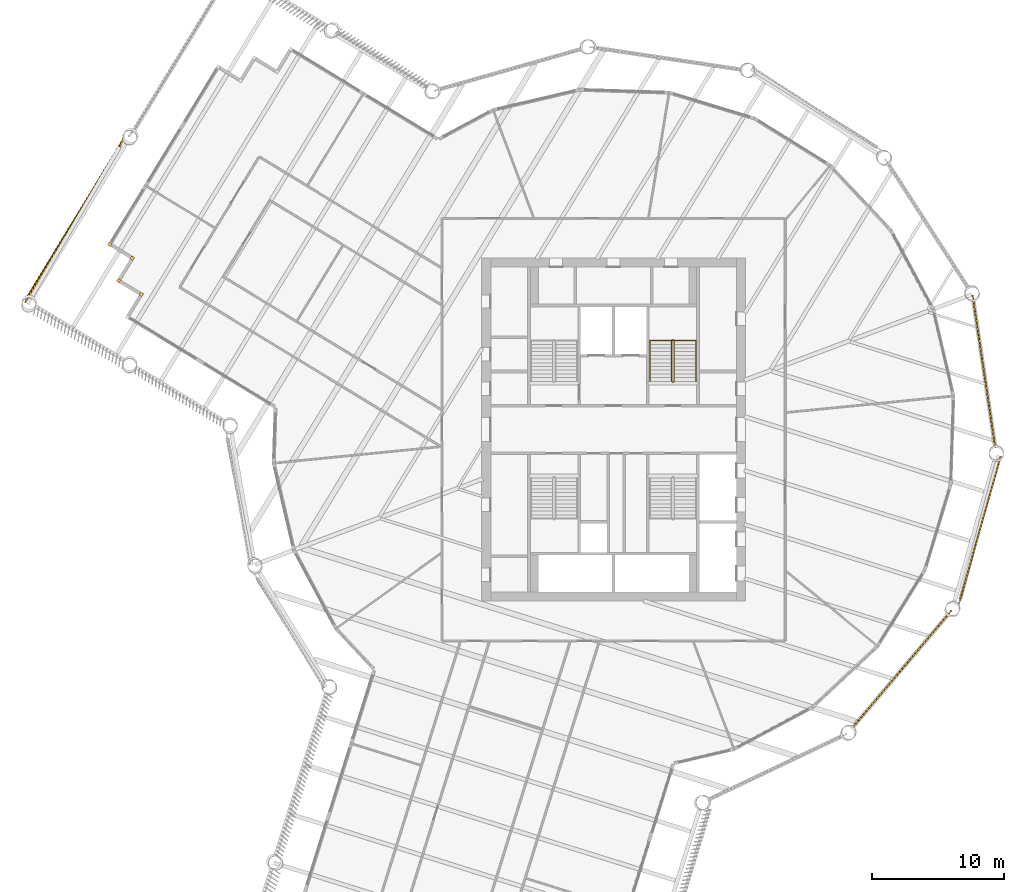
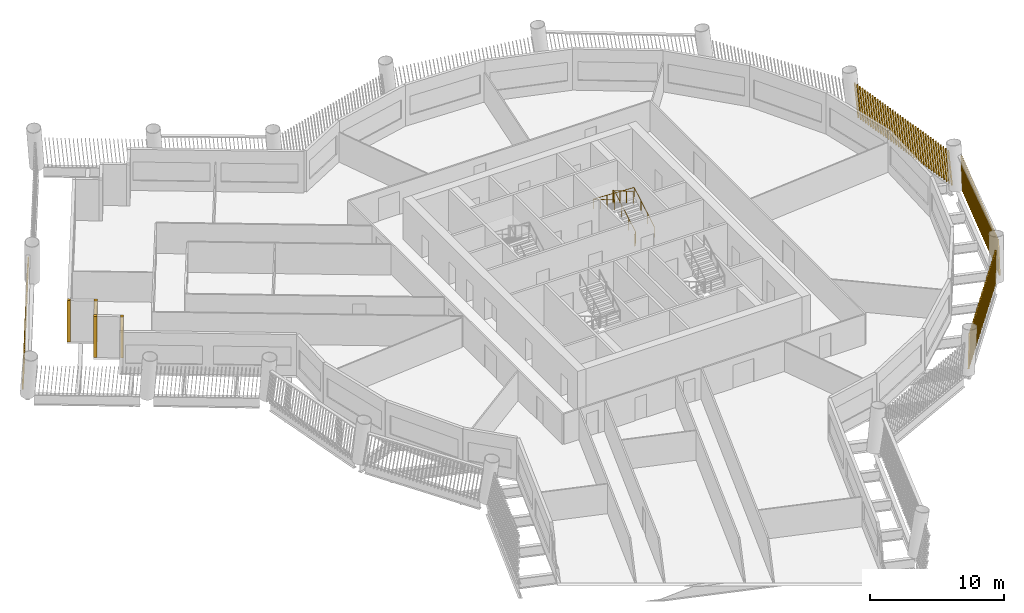
# One storey, part 13 of 15: 8 shading devices, 2 railings.
"""IFC4 building model written with IfcOpenShell, lengths in metres."""

from ifc_helpers import new_model, si_unit, direction, frame, frame_2d, origin, origin_2d, place, context, subcontext, project, spatial, rectangle, circle, composite_profile, extrude, material, type_object, element, save


model = new_model("IFC4")

# Units and contexts
model_context = context("Model", 3, precision=1e-05, world=origin(), true_north=direction((0.0, 1.0)))
body_context = subcontext(model_context, "Body", "Model", "MODEL_VIEW")
ifc_project = project(units=[si_unit("LENGTHUNIT", "METRE"), si_unit("AREAUNIT", "SQUARE_METRE"), si_unit("VOLUMEUNIT", "CUBIC_METRE"), si_unit("PLANEANGLEUNIT", "RADIAN"), si_unit("MASSUNIT", "GRAM", prefix="KILO")], contexts=[model_context])

# Site, building, storey
site_placement = place(None, origin())
site = spatial("IfcSite", under=ifc_project, at=site_placement, CompositionType="ELEMENT")
building_placement = place(site_placement, origin())
building = spatial("IfcBuilding", under=site, at=building_placement, Name="Tarsis Ring Headquarters", CompositionType="ELEMENT")
storey_placement = place(building_placement, frame((0.0, 0.0, 151.5)))
storey = spatial("IfcBuildingStorey", under=building, at=storey_placement, Name="L34", CompositionType="ELEMENT", Elevation=151.5)

# Railings
ifc_material_1 = material(Name="Steel S355", Category="steel")
railing_type_1 = type_object("IfcRailingType", Name="Core stair guard 1100", PredefinedType="GUARDRAIL", material=ifc_material_1)
railing_1_placement = place(storey_placement, frame((4.4599609375, 3.610107421875, 0.0)))
element("IfcRailing", 1, at=railing_1_placement, inside=storey, type_object=railing_type_1, Name="L34 ST2 stair guard 1", PredefinedType="GUARDRAIL", context=body_context, shape_type="SweptSolid", body=[
    extrude(circle(Radius=0.02392578125, at=origin_2d()), frame((0.0, 0.0, 1.076171875), z_axis=(1.0, 0.0, 0.0), x_axis=(0.0, 1.0, 0.0)), (0.0, 0.0, 1.0), 0.080078125),
    extrude(circle(Radius=0.02392578125, at=origin_2d()), frame((0.080078125, 0.0, 1.076171875), z_axis=(0.282336740067, 0.280959487676, 0.917250092119), x_axis=(-0.705375805398, 0.708833529934, 0.0)), (0.0, 0.0, 1.0), 0.17724609375),
    extrude(circle(Radius=0.02392578125, at=origin_2d()), frame((0.130126953125, 0.0498046875, 1.23876953125), z_axis=(0.0, 0.864920483161, 0.501908913857), x_axis=(-1.0, 0.0, 0.0)), (0.0, 0.0, 1.0), 3.56103515625),
    extrude(circle(Radius=0.02392578125, at=origin_2d()), frame((0.130126953125, 3.1298828125, 3.02587890625), z_axis=(-0.707106781187, 0.707106781187, 0.0), x_axis=(-0.707106781187, -0.707106781187, 0.0)), (0.0, 0.0, 1.0), 0.07080078125),
    extrude(circle(Radius=0.02392578125, at=origin_2d()), frame((0.080078125, 3.179931640625, 3.02587890625), z_axis=(-1.0, 0.0, 0.0), x_axis=(0.0, -1.0, 0.0)), (0.0, 0.0, 1.0), 0.080078125),
    extrude(circle(Radius=0.02392578125, at=origin_2d()), frame((0.0, 3.179931640625, 3.02587890625), z_axis=(-0.282227285176, -0.282227285176, 0.916894497205), x_axis=(0.707106781187, -0.707106781187, 0.0)), (0.0, 0.0, 1.0), 0.17724609375),
    extrude(circle(Radius=0.02392578125, at=origin_2d()), frame((-0.050048828125, 3.1298828125, 3.1884765625), z_axis=(0.0, -0.864920483161, 0.501908913857), x_axis=(1.0, 0.0, 0.0)), (0.0, 0.0, 1.0), 3.56103515625),
    extrude(circle(Radius=0.02099609375, at=origin_2d()), origin(), (0.0, 0.0, 1.0), 1.052001953125),
    extrude(circle(Radius=0.02099609375, at=origin_2d()), frame((0.080078125, 0.0, 0.0)), (0.0, 0.0, 1.0), 1.052001953125),
    extrude(circle(Radius=0.02099609375, at=origin_2d()), frame((0.130126953125, 0.0498046875, 0.16259765625)), (0.0, 0.0, 1.0), 1.052001953125),
    extrude(circle(Radius=0.02099609375, at=origin_2d()), frame((0.130126953125, 1.076416015625, 0.75830078125)), (0.0, 0.0, 1.0), 1.052001953125),
    extrude(circle(Radius=0.02099609375, at=origin_2d()), frame((0.130126953125, 2.103271484375, 1.354248046875)), (0.0, 0.0, 1.0), 1.052001953125),
    extrude(circle(Radius=0.02099609375, at=origin_2d()), frame((0.130126953125, 3.1298828125, 1.949951171875)), (0.0, 0.0, 1.0), 1.052001953125),
    extrude(circle(Radius=0.02099609375, at=origin_2d()), frame((0.080078125, 3.179931640625, 1.949951171875)), (0.0, 0.0, 1.0), 1.052001953125),
    extrude(circle(Radius=0.02099609375, at=origin_2d()), frame((0.0, 3.179931640625, 1.949951171875)), (0.0, 0.0, 1.0), 1.052001953125),
    extrude(circle(Radius=0.02099609375, at=origin_2d()), frame((-0.050048828125, 3.1298828125, 2.112548828125)), (0.0, 0.0, 1.0), 1.052001953125),
    extrude(circle(Radius=0.02099609375, at=origin_2d()), frame((-0.050048828125, 2.103271484375, 2.708251953125)), (0.0, 0.0, 1.0), 1.052001953125),
    extrude(circle(Radius=0.02099609375, at=origin_2d()), frame((-0.050048828125, 1.076416015625, 3.30419921875)), (0.0, 0.0, 1.0), 1.052001953125),
    extrude(circle(Radius=0.02099609375, at=origin_2d()), frame((-0.050048828125, 0.0498046875, 3.89990234375)), (0.0, 0.0, 1.0), 1.052001953125),
])
railing_type_2 = type_object("IfcRailingType", Name="Core stair handrail 900", PredefinedType="HANDRAIL", material=ifc_material_1)
railing_2_placement = place(storey_placement, frame((6.25, 3.659912109375, 0.16259765625)))
element("IfcRailing", 2, at=railing_2_placement, inside=storey, type_object=railing_type_2, Name="L34 ST2 stair handrail 1", PredefinedType="HANDRAIL", context=body_context, shape_type="SweptSolid", body=[
    extrude(circle(Radius=0.02392578125, at=origin_2d()), frame((0.0, 0.0, 0.8759765625), z_axis=(0.0, 0.864920483161, 0.501908913857), x_axis=(-1.0, 0.0, 0.0)), (0.0, 0.0, 1.0), 3.56103515625),
    extrude(circle(Radius=0.02392578125, at=origin_2d()), frame((0.0, 3.080078125, 2.6630859375), z_axis=(-0.998922641604, 0.0, 0.046406422943), x_axis=(0.0, -1.0, 0.0)), (0.0, 0.0, 1.0), 3.503662109375),
    extrude(circle(Radius=0.02392578125, at=origin_2d()), frame((-3.5, 3.080078125, 2.82568359375), z_axis=(0.0, -0.864920483161, 0.501908913857), x_axis=(1.0, 0.0, 0.0)), (0.0, 0.0, 1.0), 3.56103515625),
    extrude(circle(Radius=0.02099609375, at=origin_2d()), origin(), (0.0, 0.0, 1.0), 0.851806640625),
    extrude(circle(Radius=0.02099609375, at=origin_2d()), frame((0.0, 1.026611328125, 0.595703125)), (0.0, 0.0, 1.0), 0.851806640625),
    extrude(circle(Radius=0.02099609375, at=origin_2d()), frame((0.0, 2.053466796875, 1.191650390625)), (0.0, 0.0, 1.0), 0.851806640625),
    extrude(circle(Radius=0.02099609375, at=origin_2d()), frame((0.0, 3.080078125, 1.787353515625)), (0.0, 0.0, 1.0), 0.851806640625),
    extrude(circle(Radius=0.02099609375, at=origin_2d()), frame((-1.166748046875, 3.080078125, 1.841552734375)), (0.0, 0.0, 1.0), 0.851806640625),
    extrude(circle(Radius=0.02099609375, at=origin_2d()), frame((-2.333251953125, 3.080078125, 1.895751953125)), (0.0, 0.0, 1.0), 0.851806640625),
    extrude(circle(Radius=0.02099609375, at=origin_2d()), frame((-3.5, 3.080078125, 1.949951171875)), (0.0, 0.0, 1.0), 0.851806640625),
    extrude(circle(Radius=0.02099609375, at=origin_2d()), frame((-3.5, 2.053466796875, 2.545654296875)), (0.0, 0.0, 1.0), 0.851806640625),
    extrude(circle(Radius=0.02099609375, at=origin_2d()), frame((-3.5, 1.026611328125, 3.1416015625)), (0.0, 0.0, 1.0), 0.851806640625),
    extrude(circle(Radius=0.02099609375, at=origin_2d()), frame((-3.5, 0.0, 3.7373046875)), (0.0, 0.0, 1.0), 0.851806640625),
])

# Shading devices
ifc_material_2 = material(Name="Terracotta baguette", Category="masonry")
shading_device_type_1 = type_object("IfcShadingDeviceType", Name="Terracotta baguette screen", PredefinedType="USERDEFINED", material=ifc_material_2)
shading_device_1_placement = place(storey_placement, frame((18.0517578125, -22.629150390625, 0.0), z_axis=(0.0, 0.0, 1.0), x_axis=(0.645664677157, 0.763624525231, 0.0)))
element("IfcShadingDevice", 3, at=shading_device_1_placement, inside=storey, type_object=shading_device_type_1, Name="Baguette screen L34-08", ObjectType="Terracotta baguette screen", PredefinedType="USERDEFINED", context=body_context, shape_type="SweptSolid", body=[
    extrude(composite_profile([rectangle(XDim=0.06005859375, YDim=0.1201171875, at=frame_2d((0.030029296875, 0.0))), rectangle(XDim=0.06005859375, YDim=0.1201171875, at=frame_2d((0.33251953125, 0.0))), rectangle(XDim=0.06005859375, YDim=0.1201171875, at=frame_2d((0.634765625, 0.0))), rectangle(XDim=0.06005859375, YDim=0.1201171875, at=frame_2d((0.937255859375, 0.0))), rectangle(XDim=0.06005859375, YDim=0.1201171875, at=frame_2d((1.239501953125, 0.0))), rectangle(XDim=0.06005859375, YDim=0.1201171875, at=frame_2d((1.5419921875, 0.0))), rectangle(XDim=0.06005859375, YDim=0.1201171875, at=frame_2d((1.844482421875, 0.0))), rectangle(XDim=0.06005859375, YDim=0.1201171875, at=frame_2d((2.146728515625, 0.0))), rectangle(XDim=0.06005859375, YDim=0.1201171875, at=frame_2d((2.44921875, 0.0))), rectangle(XDim=0.06005859375, YDim=0.1201171875, at=frame_2d((2.751708984375, 0.0))), rectangle(XDim=0.06005859375, YDim=0.1201171875, at=frame_2d((3.053955078125, 0.0))), rectangle(XDim=0.06005859375, YDim=0.1201171875, at=frame_2d((3.3564453125, 0.0))), rectangle(XDim=0.06005859375, YDim=0.1201171875, at=frame_2d((3.65869140625, 0.0))), rectangle(XDim=0.06005859375, YDim=0.1201171875, at=frame_2d((3.961181640625, 0.0))), rectangle(XDim=0.06005859375, YDim=0.1201171875, at=frame_2d((4.263671875, 0.0))), rectangle(XDim=0.06005859375, YDim=0.1201171875, at=frame_2d((4.56591796875, 0.0))), rectangle(XDim=0.06005859375, YDim=0.1201171875, at=frame_2d((4.868408203125, 0.0))), rectangle(XDim=0.06005859375, YDim=0.1201171875, at=frame_2d((5.1708984375, 0.0))), rectangle(XDim=0.06005859375, YDim=0.1201171875, at=frame_2d((5.47314453125, 0.0))), rectangle(XDim=0.06005859375, YDim=0.1201171875, at=frame_2d((5.775634765625, 0.0))), rectangle(XDim=0.06005859375, YDim=0.1201171875, at=frame_2d((6.077880859375, 0.0))), rectangle(XDim=0.06005859375, YDim=0.1201171875, at=frame_2d((6.38037109375, 0.0))), rectangle(XDim=0.06005859375, YDim=0.1201171875, at=frame_2d((6.682861328125, 0.0))), rectangle(XDim=0.06005859375, YDim=0.1201171875, at=frame_2d((6.985107421875, 0.0))), rectangle(XDim=0.06005859375, YDim=0.1201171875, at=frame_2d((7.28759765625, 0.0))), rectangle(XDim=0.06005859375, YDim=0.1201171875, at=frame_2d((7.590087890625, 0.0))), rectangle(XDim=0.06005859375, YDim=0.1201171875, at=frame_2d((7.892333984375, 0.0))), rectangle(XDim=0.06005859375, YDim=0.1201171875, at=frame_2d((8.19482421875, 0.0))), rectangle(XDim=0.06005859375, YDim=0.1201171875, at=frame_2d((8.4970703125, 0.0))), rectangle(XDim=0.06005859375, YDim=0.1201171875, at=frame_2d((8.799560546875, 0.0))), rectangle(XDim=0.06005859375, YDim=0.1201171875, at=frame_2d((9.10205078125, 0.0))), rectangle(XDim=0.06005859375, YDim=0.1201171875, at=frame_2d((9.404296875, 0.0))), rectangle(XDim=0.06005859375, YDim=0.1201171875, at=frame_2d((9.706787109375, 0.0))), rectangle(XDim=0.06005859375, YDim=0.1201171875, at=frame_2d((10.00927734375, 0.0))), rectangle(XDim=0.06005859375, YDim=0.1201171875, at=frame_2d((10.3115234375, 0.0))), rectangle(XDim=0.06005859375, YDim=0.1201171875, at=frame_2d((10.614013671875, 0.0))), rectangle(XDim=0.06005859375, YDim=0.1201171875, at=frame_2d((10.916259765625, 0.0))), rectangle(XDim=0.06005859375, YDim=0.1201171875, at=frame_2d((11.21875, 0.0)))]), origin(), (0.149496200482, 0.001172045505, 0.988761605419), 2.9833984375),
])
shading_device_2_placement = place(storey_placement, frame((26.135009765625, -13.279296875, 0.0), z_axis=(0.0, 0.0, 1.0), x_axis=(0.273526347773, 0.961867349596, 0.0)))
element("IfcShadingDevice", 4, at=shading_device_2_placement, inside=storey, type_object=shading_device_type_1, Name="Baguette screen L34-09", ObjectType="Terracotta baguette screen", PredefinedType="USERDEFINED", context=body_context, shape_type="SweptSolid", body=[
    extrude(composite_profile([rectangle(XDim=0.06005859375, YDim=0.1201171875, at=frame_2d((0.030029296875, 0.0))), rectangle(XDim=0.06005859375, YDim=0.1201171875, at=frame_2d((0.33251953125, 0.0))), rectangle(XDim=0.06005859375, YDim=0.1201171875, at=frame_2d((0.634765625, 0.0))), rectangle(XDim=0.06005859375, YDim=0.1201171875, at=frame_2d((0.937255859375, 0.0))), rectangle(XDim=0.06005859375, YDim=0.1201171875, at=frame_2d((1.239501953125, 0.0))), rectangle(XDim=0.06005859375, YDim=0.1201171875, at=frame_2d((1.5419921875, 0.0))), rectangle(XDim=0.06005859375, YDim=0.1201171875, at=frame_2d((1.844482421875, 0.0))), rectangle(XDim=0.06005859375, YDim=0.1201171875, at=frame_2d((2.146728515625, 0.0))), rectangle(XDim=0.06005859375, YDim=0.1201171875, at=frame_2d((2.44921875, 0.0))), rectangle(XDim=0.06005859375, YDim=0.1201171875, at=frame_2d((2.751708984375, 0.0))), rectangle(XDim=0.06005859375, YDim=0.1201171875, at=frame_2d((3.053955078125, 0.0))), rectangle(XDim=0.06005859375, YDim=0.1201171875, at=frame_2d((3.3564453125, 0.0))), rectangle(XDim=0.06005859375, YDim=0.1201171875, at=frame_2d((3.65869140625, 0.0))), rectangle(XDim=0.06005859375, YDim=0.1201171875, at=frame_2d((3.961181640625, 0.0))), rectangle(XDim=0.06005859375, YDim=0.1201171875, at=frame_2d((4.263671875, 0.0))), rectangle(XDim=0.06005859375, YDim=0.1201171875, at=frame_2d((4.56591796875, 0.0))), rectangle(XDim=0.06005859375, YDim=0.1201171875, at=frame_2d((4.868408203125, 0.0))), rectangle(XDim=0.06005859375, YDim=0.1201171875, at=frame_2d((5.1708984375, 0.0))), rectangle(XDim=0.06005859375, YDim=0.1201171875, at=frame_2d((5.47314453125, 0.0))), rectangle(XDim=0.06005859375, YDim=0.1201171875, at=frame_2d((5.775634765625, 0.0))), rectangle(XDim=0.06005859375, YDim=0.1201171875, at=frame_2d((6.077880859375, 0.0))), rectangle(XDim=0.06005859375, YDim=0.1201171875, at=frame_2d((6.38037109375, 0.0))), rectangle(XDim=0.06005859375, YDim=0.1201171875, at=frame_2d((6.682861328125, 0.0))), rectangle(XDim=0.06005859375, YDim=0.1201171875, at=frame_2d((6.985107421875, 0.0))), rectangle(XDim=0.06005859375, YDim=0.1201171875, at=frame_2d((7.28759765625, 0.0))), rectangle(XDim=0.06005859375, YDim=0.1201171875, at=frame_2d((7.590087890625, 0.0))), rectangle(XDim=0.06005859375, YDim=0.1201171875, at=frame_2d((7.892333984375, 0.0))), rectangle(XDim=0.06005859375, YDim=0.1201171875, at=frame_2d((8.19482421875, 0.0))), rectangle(XDim=0.06005859375, YDim=0.1201171875, at=frame_2d((8.4970703125, 0.0))), rectangle(XDim=0.06005859375, YDim=0.1201171875, at=frame_2d((8.799560546875, 0.0))), rectangle(XDim=0.06005859375, YDim=0.1201171875, at=frame_2d((9.10205078125, 0.0))), rectangle(XDim=0.06005859375, YDim=0.1201171875, at=frame_2d((9.404296875, 0.0))), rectangle(XDim=0.06005859375, YDim=0.1201171875, at=frame_2d((9.706787109375, 0.0))), rectangle(XDim=0.06005859375, YDim=0.1201171875, at=frame_2d((10.00927734375, 0.0))), rectangle(XDim=0.06005859375, YDim=0.1201171875, at=frame_2d((10.3115234375, 0.0))), rectangle(XDim=0.06005859375, YDim=0.1201171875, at=frame_2d((10.614013671875, 0.0))), rectangle(XDim=0.06005859375, YDim=0.1201171875, at=frame_2d((10.916259765625, 0.0))), rectangle(XDim=0.06005859375, YDim=0.1201171875, at=frame_2d((11.21875, 0.0)))]), origin(), (0.151425749432, 0.00119058214, 0.988467918004), 2.984375),
])
shading_device_3_placement = place(storey_placement, frame((28.914306640625, -1.38134765625, 0.0), z_axis=(0.0, 0.0, 1.0), x_axis=(-0.147281606077, 0.989104720564, 0.0)))
element("IfcShadingDevice", 5, at=shading_device_3_placement, inside=storey, type_object=shading_device_type_1, Name="Baguette screen L34-10", ObjectType="Terracotta baguette screen", PredefinedType="USERDEFINED", context=body_context, shape_type="SweptSolid", body=[
    extrude(composite_profile([rectangle(XDim=0.06005859375, YDim=0.1201171875, at=frame_2d((0.030029296875, 0.0))), rectangle(XDim=0.06005859375, YDim=0.1201171875, at=frame_2d((0.33251953125, 0.0))), rectangle(XDim=0.06005859375, YDim=0.1201171875, at=frame_2d((0.634765625, 0.0))), rectangle(XDim=0.06005859375, YDim=0.1201171875, at=frame_2d((0.937255859375, 0.0))), rectangle(XDim=0.06005859375, YDim=0.1201171875, at=frame_2d((1.239501953125, 0.0))), rectangle(XDim=0.06005859375, YDim=0.1201171875, at=frame_2d((1.5419921875, 0.0))), rectangle(XDim=0.06005859375, YDim=0.1201171875, at=frame_2d((1.844482421875, 0.0))), rectangle(XDim=0.06005859375, YDim=0.1201171875, at=frame_2d((2.146728515625, 0.0))), rectangle(XDim=0.06005859375, YDim=0.1201171875, at=frame_2d((2.44921875, 0.0))), rectangle(XDim=0.06005859375, YDim=0.1201171875, at=frame_2d((2.751708984375, 0.0))), rectangle(XDim=0.06005859375, YDim=0.1201171875, at=frame_2d((3.053955078125, 0.0))), rectangle(XDim=0.06005859375, YDim=0.1201171875, at=frame_2d((3.3564453125, 0.0))), rectangle(XDim=0.06005859375, YDim=0.1201171875, at=frame_2d((3.65869140625, 0.0))), rectangle(XDim=0.06005859375, YDim=0.1201171875, at=frame_2d((3.961181640625, 0.0))), rectangle(XDim=0.06005859375, YDim=0.1201171875, at=frame_2d((4.263671875, 0.0))), rectangle(XDim=0.06005859375, YDim=0.1201171875, at=frame_2d((4.56591796875, 0.0))), rectangle(XDim=0.06005859375, YDim=0.1201171875, at=frame_2d((4.868408203125, 0.0))), rectangle(XDim=0.06005859375, YDim=0.1201171875, at=frame_2d((5.1708984375, 0.0))), rectangle(XDim=0.06005859375, YDim=0.1201171875, at=frame_2d((5.47314453125, 0.0))), rectangle(XDim=0.06005859375, YDim=0.1201171875, at=frame_2d((5.775634765625, 0.0))), rectangle(XDim=0.06005859375, YDim=0.1201171875, at=frame_2d((6.077880859375, 0.0))), rectangle(XDim=0.06005859375, YDim=0.1201171875, at=frame_2d((6.38037109375, 0.0))), rectangle(XDim=0.06005859375, YDim=0.1201171875, at=frame_2d((6.682861328125, 0.0))), rectangle(XDim=0.06005859375, YDim=0.1201171875, at=frame_2d((6.985107421875, 0.0))), rectangle(XDim=0.06005859375, YDim=0.1201171875, at=frame_2d((7.28759765625, 0.0))), rectangle(XDim=0.06005859375, YDim=0.1201171875, at=frame_2d((7.590087890625, 0.0))), rectangle(XDim=0.06005859375, YDim=0.1201171875, at=frame_2d((7.892333984375, 0.0))), rectangle(XDim=0.06005859375, YDim=0.1201171875, at=frame_2d((8.19482421875, 0.0))), rectangle(XDim=0.06005859375, YDim=0.1201171875, at=frame_2d((8.4970703125, 0.0))), rectangle(XDim=0.06005859375, YDim=0.1201171875, at=frame_2d((8.799560546875, 0.0))), rectangle(XDim=0.06005859375, YDim=0.1201171875, at=frame_2d((9.10205078125, 0.0))), rectangle(XDim=0.06005859375, YDim=0.1201171875, at=frame_2d((9.404296875, 0.0))), rectangle(XDim=0.06005859375, YDim=0.1201171875, at=frame_2d((9.706787109375, 0.0))), rectangle(XDim=0.06005859375, YDim=0.1201171875, at=frame_2d((10.00927734375, 0.0))), rectangle(XDim=0.06005859375, YDim=0.1201171875, at=frame_2d((10.3115234375, 0.0))), rectangle(XDim=0.06005859375, YDim=0.1201171875, at=frame_2d((10.614013671875, 0.0))), rectangle(XDim=0.06005859375, YDim=0.1201171875, at=frame_2d((10.916259765625, 0.0))), rectangle(XDim=0.06005859375, YDim=0.1201171875, at=frame_2d((11.21875, 0.0)))]), origin(), (0.149497382798, 0.001172647494, 0.988761425944), 2.9833984375),
])
shading_device_4_placement = place(storey_placement, frame((-37.1279296875, 22.0419921875, 0.0), z_axis=(0.0, 0.0, 1.0), x_axis=(-0.520406899602, -0.853923042901, 0.0)))
element("IfcShadingDevice", 6, at=shading_device_4_placement, inside=storey, type_object=shading_device_type_1, Name="Baguette screen L34-18", ObjectType="Terracotta baguette screen", PredefinedType="USERDEFINED", context=body_context, shape_type="SweptSolid", body=[
    extrude(composite_profile([rectangle(XDim=0.06005859375, YDim=0.1201171875, at=frame_2d((0.030029296875, 0.0))), rectangle(XDim=0.06005859375, YDim=0.1201171875, at=frame_2d((0.33544921875, 0.0))), rectangle(XDim=0.06005859375, YDim=0.1201171875, at=frame_2d((0.640625, 0.0))), rectangle(XDim=0.06005859375, YDim=0.1201171875, at=frame_2d((0.946044921875, 0.0))), rectangle(XDim=0.06005859375, YDim=0.1201171875, at=frame_2d((1.25146484375, 0.0))), rectangle(XDim=0.06005859375, YDim=0.1201171875, at=frame_2d((1.556640625, 0.0))), rectangle(XDim=0.06005859375, YDim=0.1201171875, at=frame_2d((1.862060546875, 0.0))), rectangle(XDim=0.06005859375, YDim=0.1201171875, at=frame_2d((2.16748046875, 0.0))), rectangle(XDim=0.06005859375, YDim=0.1201171875, at=frame_2d((2.47265625, 0.0))), rectangle(XDim=0.06005859375, YDim=0.1201171875, at=frame_2d((2.778076171875, 0.0))), rectangle(XDim=0.06005859375, YDim=0.1201171875, at=frame_2d((3.08349609375, 0.0))), rectangle(XDim=0.06005859375, YDim=0.1201171875, at=frame_2d((3.388671875, 0.0))), rectangle(XDim=0.06005859375, YDim=0.1201171875, at=frame_2d((3.694091796875, 0.0))), rectangle(XDim=0.06005859375, YDim=0.1201171875, at=frame_2d((3.99951171875, 0.0))), rectangle(XDim=0.06005859375, YDim=0.1201171875, at=frame_2d((4.3046875, 0.0))), rectangle(XDim=0.06005859375, YDim=0.1201171875, at=frame_2d((4.610107421875, 0.0))), rectangle(XDim=0.06005859375, YDim=0.1201171875, at=frame_2d((4.91552734375, 0.0))), rectangle(XDim=0.06005859375, YDim=0.1201171875, at=frame_2d((5.220703125, 0.0))), rectangle(XDim=0.06005859375, YDim=0.1201171875, at=frame_2d((5.526123046875, 0.0))), rectangle(XDim=0.06005859375, YDim=0.1201171875, at=frame_2d((5.83154296875, 0.0))), rectangle(XDim=0.06005859375, YDim=0.1201171875, at=frame_2d((6.13671875, 0.0))), rectangle(XDim=0.06005859375, YDim=0.1201171875, at=frame_2d((6.442138671875, 0.0))), rectangle(XDim=0.06005859375, YDim=0.1201171875, at=frame_2d((6.74755859375, 0.0))), rectangle(XDim=0.06005859375, YDim=0.1201171875, at=frame_2d((7.052734375, 0.0))), rectangle(XDim=0.06005859375, YDim=0.1201171875, at=frame_2d((7.358154296875, 0.0))), rectangle(XDim=0.06005859375, YDim=0.1201171875, at=frame_2d((7.66357421875, 0.0))), rectangle(XDim=0.06005859375, YDim=0.1201171875, at=frame_2d((7.96875, 0.0))), rectangle(XDim=0.06005859375, YDim=0.1201171875, at=frame_2d((8.274169921875, 0.0))), rectangle(XDim=0.06005859375, YDim=0.1201171875, at=frame_2d((8.57958984375, 0.0))), rectangle(XDim=0.06005859375, YDim=0.1201171875, at=frame_2d((8.884765625, 0.0))), rectangle(XDim=0.06005859375, YDim=0.1201171875, at=frame_2d((9.190185546875, 0.0))), rectangle(XDim=0.06005859375, YDim=0.1201171875, at=frame_2d((9.49560546875, 0.0))), rectangle(XDim=0.06005859375, YDim=0.1201171875, at=frame_2d((9.80078125, 0.0))), rectangle(XDim=0.06005859375, YDim=0.1201171875, at=frame_2d((10.106201171875, 0.0))), rectangle(XDim=0.06005859375, YDim=0.1201171875, at=frame_2d((10.41162109375, 0.0))), rectangle(XDim=0.06005859375, YDim=0.1201171875, at=frame_2d((10.716796875, 0.0))), rectangle(XDim=0.06005859375, YDim=0.1201171875, at=frame_2d((11.022216796875, 0.0))), rectangle(XDim=0.06005859375, YDim=0.1201171875, at=frame_2d((11.32763671875, 0.0))), rectangle(XDim=0.06005859375, YDim=0.1201171875, at=frame_2d((11.6328125, 0.0))), rectangle(XDim=0.06005859375, YDim=0.1201171875, at=frame_2d((11.938232421875, 0.0))), rectangle(XDim=0.06005859375, YDim=0.1201171875, at=frame_2d((12.24365234375, 0.0))), rectangle(XDim=0.06005859375, YDim=0.1201171875, at=frame_2d((12.548828125, 0.0))), rectangle(XDim=0.06005859375, YDim=0.1201171875, at=frame_2d((12.854248046875, 0.0))), rectangle(XDim=0.06005859375, YDim=0.1201171875, at=frame_2d((13.15966796875, 0.0))), rectangle(XDim=0.06005859375, YDim=0.1201171875, at=frame_2d((13.46484375, 0.0))), rectangle(XDim=0.06005859375, YDim=0.1201171875, at=frame_2d((13.770263671875, 0.0)))]), origin(), (0.22357992289, 0.040128218923, 0.973859201387), 3.029052734375),
])
shading_device_type_2 = type_object("IfcShadingDeviceType", Name="Terracotta corner baguette 250x250", PredefinedType="USERDEFINED", material=ifc_material_2)
for number, where, z_axis, x_axis, name in (
    (7, (-38.148193359375, 14.02685546875, 0.0), (0.0, 0.0, 1.0), (-0.520413628956, -0.853914313498, 0.0), "Corner baguette L34-37"),
    (8, (-36.440185546875, 12.986083984375, 0.0), (0.0, 0.0, 1.0), (0.853914422493, -0.520413450112, 0.0), "Corner baguette L34-38"),
    (9, (-37.481201171875, 11.2783203125, 0.0), (0.0, 0.0, 1.0), (-0.520413822703, -0.85391419542, 0.0), "Corner baguette L34-39"),
    (10, (-35.773193359375, 10.237548828125, 0.0), (0.0, 0.0, 1.0), (0.85391419542, -0.520413822703, 0.0), "Corner baguette L34-40"),
):
    element("IfcShadingDevice", number, at=place(storey_placement, frame(where, z_axis=z_axis, x_axis=x_axis)), inside=storey, type_object=shading_device_type_2, Name=name, ObjectType="Terracotta corner baguette", PredefinedType="USERDEFINED", context=body_context, shape_type="SweptSolid", body=[
        extrude(rectangle(XDim=0.25, YDim=0.25, at=origin_2d()), origin(), (0.0, 0.0, 1.0), 3.739990234375),
    ])

save(model, "model.ifc")
